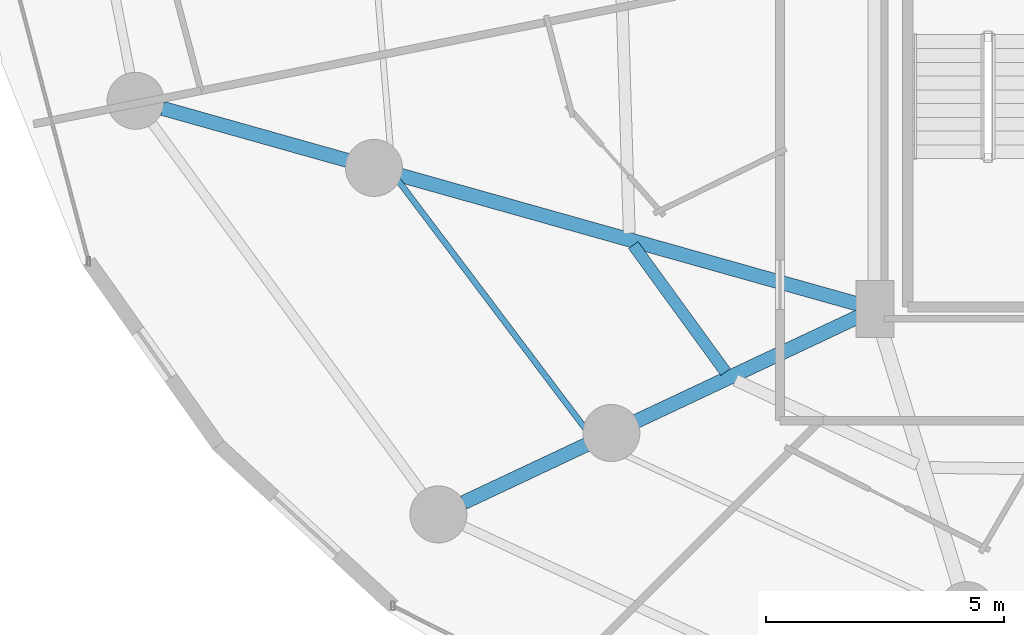
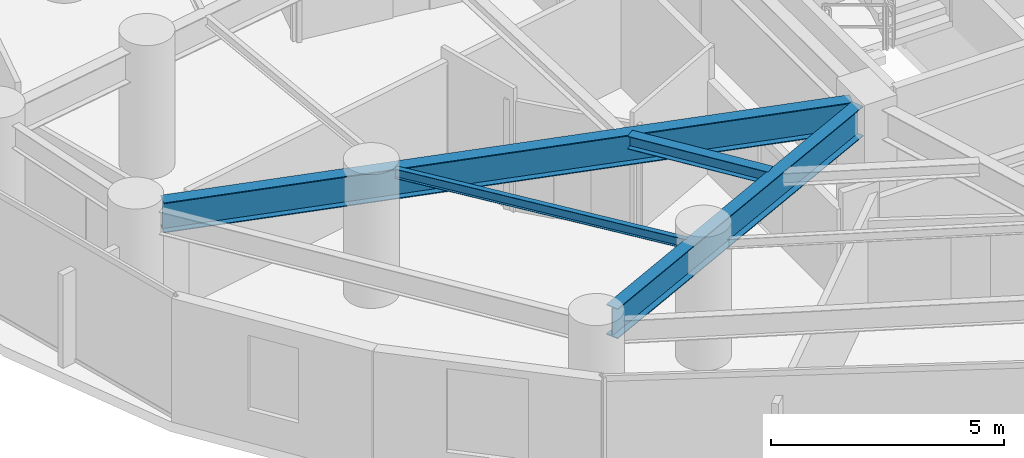
# One storey, part 4 of 35: 4 beams.
"""IFC4 building model written with IfcOpenShell, lengths in metres."""

from ifc_helpers import new_model, si_unit, direction, frame, origin, origin_2d, place, context, subcontext, project, spatial, i_section, extrude, material, material_profile, profile_set, type_object, element, save


model = new_model("IFC4")

# Units and contexts
model_context = context("Model", 3, precision=1e-05, world=origin(), true_north=direction((0.0, 1.0)))
body_context = subcontext(model_context, "Body", "Model", "MODEL_VIEW")
ifc_project = project(units=[si_unit("LENGTHUNIT", "METRE"), si_unit("AREAUNIT", "SQUARE_METRE"), si_unit("VOLUMEUNIT", "CUBIC_METRE"), si_unit("PLANEANGLEUNIT", "RADIAN"), si_unit("MASSUNIT", "GRAM", prefix="KILO")], contexts=[model_context])

# Site, building, storey
site_placement = place(None, origin())
site = spatial("IfcSite", under=ifc_project, at=site_placement, CompositionType="ELEMENT")
building_placement = place(site_placement, origin())
building = spatial("IfcBuilding", under=site, at=building_placement, Name="Vorneva Point Tower", CompositionType="ELEMENT")
storey_placement = place(building_placement, frame((0.0, 0.0, 52.0)))
storey = spatial("IfcBuildingStorey", under=building, at=storey_placement, Name="L13", CompositionType="ELEMENT", Elevation=52.0)

# Beams
ifc_material = material(Name="Steel S355", Category="steel")
ifc_material_profile_1 = material_profile(ifc_material, i_section(OverallWidth=0.300048828125, OverallDepth=0.7880859375, WebThickness=0.014404296875, FlangeThickness=0.02197265625, at=origin_2d()), Name="80Sh1")
ifc_profile_set_1 = profile_set([ifc_material_profile_1], Name="Steel S355")
beam_type_1 = type_object("IfcBeamType", Name="BM-GRD-80Sh1", PredefinedType="USERDEFINED", material=ifc_profile_set_1)
beam_1_placement = place(storey_placement, frame((12.254150390625, 20.67041015625, 2.845947265625), z_axis=(0.962601076089, -0.270922808772, 0.0), x_axis=(0.270922808772, 0.962601076089, 0.0)))
element("IfcBeam", 1, at=beam_1_placement, inside=storey, type_object=beam_type_1, Name="L13 Radial Primary Girder 10", ObjectType="GIRDER", PredefinedType="USERDEFINED", context=body_context, shape_type="SweptSolid", body=[
    extrude(i_section(OverallWidth=0.300048828125, OverallDepth=0.7880859375, WebThickness=0.014404296875, FlangeThickness=0.02197265625, at=origin_2d()), origin(), (0.0, 0.0, 1.0), 15.23828125),
])
beam_2_placement = place(storey_placement, frame((18.59326171875, 12.37451171875, 2.845947265625), z_axis=(0.904749139553, 0.425944825627, 0.0), x_axis=(-0.425944825627, 0.904749139553, 0.0)))
element("IfcBeam", 2, at=beam_2_placement, inside=storey, type_object=beam_type_1, Name="L13 Radial Primary Girder 11", ObjectType="GIRDER", PredefinedType="USERDEFINED", context=body_context, shape_type="SweptSolid", body=[
    extrude(i_section(OverallWidth=0.300048828125, OverallDepth=0.7880859375, WebThickness=0.014404296875, FlangeThickness=0.02197265625, at=origin_2d()), origin(), (0.0, 0.0, 1.0), 9.22802734375),
])
ifc_material_profile_2 = material_profile(ifc_material, i_section(OverallWidth=0.1240234375, OverallDepth=0.248046875, WebThickness=0.0048828125, FlangeThickness=0.008056640625, at=origin_2d()), Name="25B1")
ifc_profile_set_2 = profile_set([ifc_material_profile_2], Name="Steel S355")
beam_type_2 = type_object("IfcBeamType", Name="BM-JST-25B1", PredefinedType="JOIST", material=ifc_profile_set_2)
beam_3_placement = place(storey_placement, frame((17.177978515625, 19.19775390625, 3.115966796875), z_axis=(0.602392200076, -0.798200248865, 0.0), x_axis=(0.798200248865, 0.602392200076, 0.0)))
element("IfcBeam", 3, at=beam_3_placement, inside=storey, type_object=beam_type_2, Name="L13 Secondary Floor Beam 1.10", PredefinedType="JOIST", context=body_context, shape_type="SweptSolid", body=[
    extrude(i_section(OverallWidth=0.1240234375, OverallDepth=0.248046875, WebThickness=0.0048828125, FlangeThickness=0.008056640625, at=origin_2d()), origin(), (0.0, 0.0, 1.0), 6.785400390625),
])
ifc_material_profile_3 = material_profile(ifc_material, i_section(OverallWidth=0.2490234375, OverallDepth=0.333984375, WebThickness=0.008056640625, FlangeThickness=0.010986328125, at=origin_2d()), Name="35Sh1")
ifc_profile_set_3 = profile_set([ifc_material_profile_3], Name="Steel S355")
beam_type_3 = type_object("IfcBeamType", Name="BM-SEC-35Sh1", PredefinedType="BEAM", material=ifc_profile_set_3)
beam_4_placement = place(storey_placement, frame((22.1630859375, 17.792724609375, 3.072998046875), z_axis=(0.587982797478, -0.80887343254, 0.0), x_axis=(0.80887343254, 0.587982797478, 0.0)))
element("IfcBeam", 4, at=beam_4_placement, inside=storey, type_object=beam_type_3, Name="L13 Secondary Floor Beam 2.10", PredefinedType="BEAM", context=body_context, shape_type="SweptSolid", body=[
    extrude(i_section(OverallWidth=0.2490234375, OverallDepth=0.333984375, WebThickness=0.008056640625, FlangeThickness=0.010986328125, at=origin_2d()), origin(), (0.0, 0.0, 1.0), 3.3046875),
])

save(model, "model.ifc")
